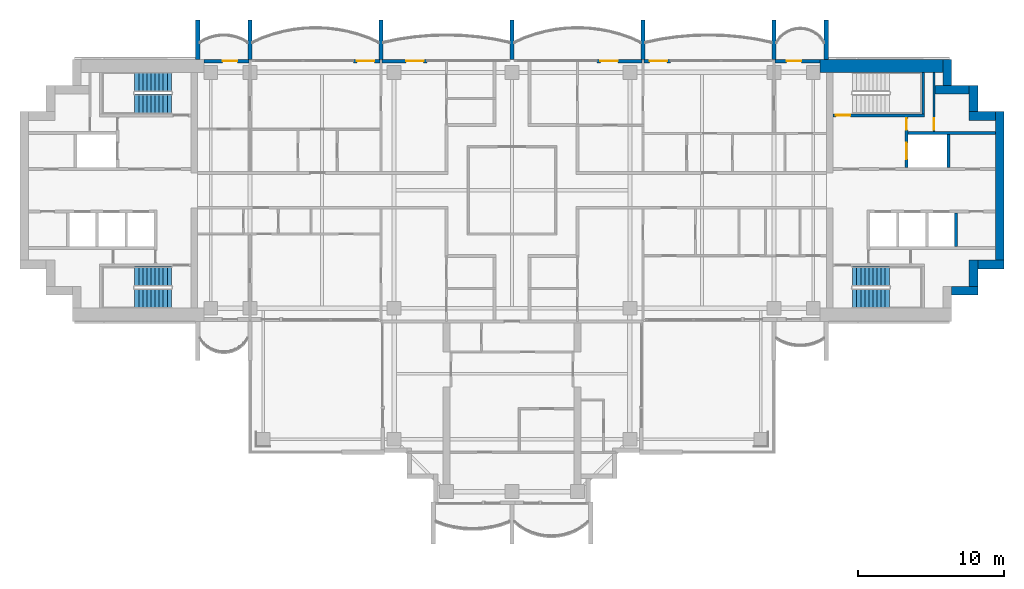
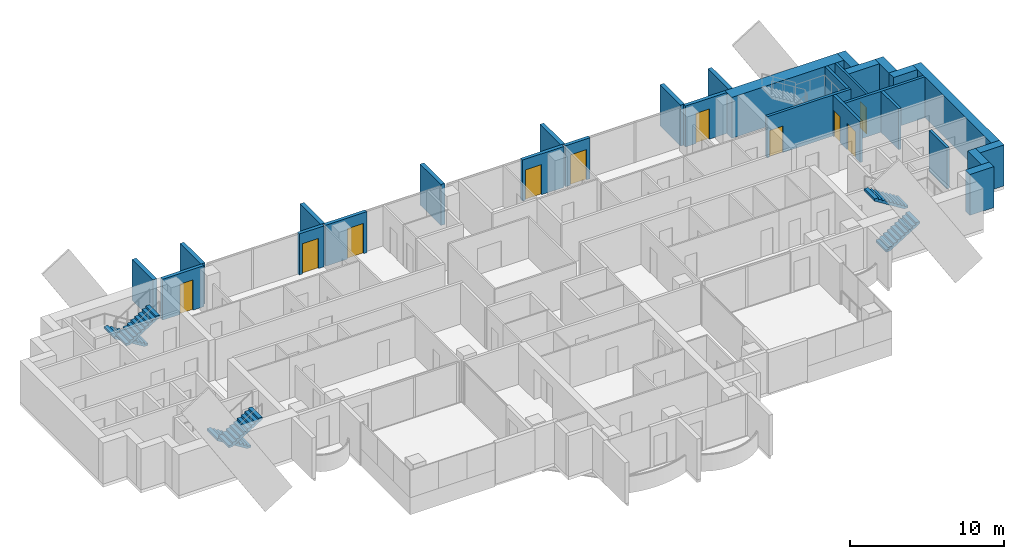
# One storey, part 13 of 18: 29 walls, 10 doors, 6 stair flights, 10 openings, 3 elements without a shape of their own.
"""IFC4 building model written with IfcOpenShell, lengths in metres."""

from ifc_helpers import new_model, si_unit, direction, frame, frame_2d, origin, place, context, subcontext, project, spatial, polyline, rectangle, outline, extrude, material, layer, layer_set, type_object, element, fill, aggregate, save


model = new_model("IFC4")

# Units and contexts
model_context = context("Model", 3, precision=1e-05, world=origin(), true_north=direction((0.0, 1.0)))
body_context = subcontext(model_context, "Body", "Model", "MODEL_VIEW")
ifc_project = project(units=[si_unit("LENGTHUNIT", "METRE"), si_unit("AREAUNIT", "SQUARE_METRE"), si_unit("VOLUMEUNIT", "CUBIC_METRE"), si_unit("PLANEANGLEUNIT", "RADIAN"), si_unit("MASSUNIT", "GRAM", prefix="KILO")], contexts=[model_context])

# Site, building, storey
site_placement = place(None, origin())
site = spatial("IfcSite", under=ifc_project, at=site_placement, CompositionType="ELEMENT")
building_placement = place(site_placement, origin())
building = spatial("IfcBuilding", under=site, at=building_placement, Name="Perihelion Cross Residences", CompositionType="ELEMENT")
storey_placement = place(building_placement, frame((0.0, 0.0, 177.10009765625)))
storey = spatial("IfcBuildingStorey", under=building, at=storey_placement, Name="L43", CompositionType="ELEMENT", Elevation=177.10009765625)

# Wall, opening, door
ifc_material_1 = material(Name="Concrete C30/37, bronze-clad", Category="concrete")
ifc_layer_1 = layer(ifc_material_1, 0.25)
ifc_layer_set_1 = layer_set([ifc_layer_1], Name="Bronze-clad pier wall 250")
wall_type_1 = type_object("IfcWallType", Name="Bronze-clad pier wall 250", PredefinedType="SOLIDWALL", material=ifc_layer_set_1)
wall_1_placement = place(storey_placement, frame((21.175048828125, 8.875, 0.0), z_axis=(0.0, 0.0, 1.0), x_axis=(-1.0, 0.0, 0.0)))
wall_1 = element("IfcWall", 1, at=wall_1_placement, inside=storey, type_object=wall_type_1, Name="Wall FW1 L43 east side north bay 1 pier", PredefinedType="SOLIDWALL", context=body_context, shape_type="SweptSolid", body=[
    extrude(rectangle(XDim=3.114990234375, YDim=0.25, at=frame_2d((1.5576171875, 0.0))), origin(), (0.0, 0.0, 1.0), 3.25),
])
opening_1_placement = place(wall_1_placement, frame((1.300048828125, 0.0, 0.0)))
opening_1 = element("IfcOpeningElement", 2, at=opening_1_placement, cuts=wall_1, Name="Opening L43.E01", PredefinedType="OPENING", context=body_context, shape_type="SweptSolid", body=[
    extrude(rectangle(XDim=1.0, YDim=2.39990234375, at=frame_2d((0.5, 1.199951171875))), frame((0.0, 0.135009765625, 0.0), z_axis=(0.0, -1.0, 0.0), x_axis=(1.0, 0.0, 0.0)), (0.0, 0.0, 1.0), 0.27001953125),
])
ifc_material_2 = material(Name="Bronze anodised aluminium, glazed", Category="aluminium")
door_type_1 = type_object("IfcDoorType", Name="Balcony door 1000 x 2400", OperationType="NOTDEFINED", PredefinedType="DOOR", material=ifc_material_2)
door_1_placement = place(opening_1_placement, origin())
door_1 = element("IfcDoor", 3, at=door_1_placement, inside=storey, type_object=door_type_1, Name="Door L43.E01 east side north bay 1", OperationType="SINGLE_SWING_LEFT", OverallHeight=2.39990234375, OverallWidth=1.0, PredefinedType="DOOR", context=body_context, shape_type="SweptSolid", body=[
    extrude(rectangle(XDim=1.0, YDim=2.39990234375, at=frame_2d((0.5, 1.199951171875))), frame((0.0, 0.02490234375, 0.0), z_axis=(0.0, -1.0, 0.0), x_axis=(1.0, 0.0, 0.0)), (0.0, 0.0, 1.0), 0.050048828125),
])
fill(opening_1, door_1)

wall_2_placement = place(storey_placement, frame((10.89990234375, 8.875, 0.0), z_axis=(0.0, 0.0, 1.0), x_axis=(-1.0, 0.0, 0.0)))
wall_2 = element("IfcWall", 4, at=wall_2_placement, inside=storey, type_object=wall_type_1, Name="Wall FW1 L43 east side north bay 2 pier", PredefinedType="SOLIDWALL", context=body_context, shape_type="SweptSolid", body=[
    extrude(rectangle(XDim=1.83984375, YDim=0.25, at=frame_2d((0.919921875, 0.0))), origin(), (0.0, 0.0, 1.0), 3.25),
])
opening_2_placement = place(wall_2_placement, frame((0.25, 0.0, 0.0)))
opening_2 = element("IfcOpeningElement", 5, at=opening_2_placement, cuts=wall_2, Name="Opening L43.E02", PredefinedType="OPENING", context=body_context, shape_type="SweptSolid", body=[
    extrude(rectangle(XDim=1.199951171875, YDim=2.39990234375, at=frame_2d((0.60009765625, 1.199951171875))), frame((0.0, 0.135009765625, 0.0), z_axis=(0.0, -1.0, 0.0), x_axis=(1.0, 0.0, 0.0)), (0.0, 0.0, 1.0), 0.27001953125),
])
ifc_material_3 = material(Name="Bronze anodised aluminium, glazed", Category="aluminium")
door_type_2 = type_object("IfcDoorType", Name="Balcony door 1200 x 2400", OperationType="NOTDEFINED", PredefinedType="DOOR", material=ifc_material_3)
door_2_placement = place(opening_2_placement, origin())
door_2 = element("IfcDoor", 6, at=door_2_placement, inside=storey, type_object=door_type_2, Name="Door L43.E02 east side north bay 2", OperationType="SINGLE_SWING_RIGHT", OverallHeight=2.39990234375, OverallWidth=1.199951171875, PredefinedType="DOOR", context=body_context, shape_type="SweptSolid", body=[
    extrude(rectangle(XDim=1.199951171875, YDim=2.39990234375, at=frame_2d((0.60009765625, 1.199951171875))), frame((0.0, 0.02490234375, 0.0), z_axis=(0.0, -1.0, 0.0), x_axis=(1.0, 0.0, 0.0)), (0.0, 0.0, 1.0), 0.050048828125),
])
fill(opening_2, door_2)

wall_3_placement = place(storey_placement, frame((8.93994140625, 8.875, 0.0), z_axis=(0.0, 0.0, 1.0), x_axis=(-1.0, 0.0, 0.0)))
wall_3 = element("IfcWall", 7, at=wall_3_placement, inside=storey, type_object=wall_type_1, Name="Wall FW1 L43 north side east bay 1 pier", PredefinedType="SOLIDWALL", context=body_context, shape_type="SweptSolid", body=[
    extrude(rectangle(XDim=3.114990234375, YDim=0.25, at=frame_2d((1.5576171875, 0.0))), origin(), (0.0, 0.0, 1.0), 3.25),
])
opening_3_placement = place(wall_3_placement, frame((1.6650390625, 0.0, 0.0)))
opening_3 = element("IfcOpeningElement", 8, at=opening_3_placement, cuts=wall_3, Name="Opening L43.E03", PredefinedType="OPENING", context=body_context, shape_type="SweptSolid", body=[
    extrude(rectangle(XDim=1.199951171875, YDim=2.39990234375, at=frame_2d((0.60009765625, 1.199951171875))), frame((0.0, 0.135009765625, 0.0), z_axis=(0.0, -1.0, 0.0), x_axis=(1.0, 0.0, 0.0)), (0.0, 0.0, 1.0), 0.27001953125),
])
door_3_placement = place(opening_3_placement, origin())
door_3 = element("IfcDoor", 9, at=door_3_placement, inside=storey, type_object=door_type_2, Name="Door L43.E03 north side east bay 1", OperationType="SINGLE_SWING_LEFT", OverallHeight=2.39990234375, OverallWidth=1.199951171875, PredefinedType="DOOR", context=body_context, shape_type="SweptSolid", body=[
    extrude(rectangle(XDim=1.199951171875, YDim=2.39990234375, at=frame_2d((0.60009765625, 1.199951171875))), frame((0.0, 0.02490234375, 0.0), z_axis=(0.0, -1.0, 0.0), x_axis=(1.0, 0.0, 0.0)), (0.0, 0.0, 1.0), 0.050048828125),
])
fill(opening_3, door_3)

wall_4_placement = place(storey_placement, frame((-5.824951171875, 8.875, 0.0), z_axis=(0.0, 0.0, 1.0), x_axis=(-1.0, 0.0, 0.0)))
wall_4 = element("IfcWall", 10, at=wall_4_placement, inside=storey, type_object=wall_type_1, Name="Wall FW1 L43 north side east bay 2 pier", PredefinedType="SOLIDWALL", context=body_context, shape_type="SweptSolid", body=[
    extrude(rectangle(XDim=3.114990234375, YDim=0.25, at=frame_2d((1.5576171875, 0.0))), origin(), (0.0, 0.0, 1.0), 3.25),
])
opening_4_placement = place(wall_4_placement, frame((0.25, 0.0, 0.0)))
opening_4 = element("IfcOpeningElement", 11, at=opening_4_placement, cuts=wall_4, Name="Opening L43.E04", PredefinedType="OPENING", context=body_context, shape_type="SweptSolid", body=[
    extrude(rectangle(XDim=1.199951171875, YDim=2.39990234375, at=frame_2d((0.60009765625, 1.199951171875))), frame((0.0, 0.135009765625, 0.0), z_axis=(0.0, -1.0, 0.0), x_axis=(1.0, 0.0, 0.0)), (0.0, 0.0, 1.0), 0.27001953125),
])
door_4_placement = place(opening_4_placement, origin())
door_4 = element("IfcDoor", 12, at=door_4_placement, inside=storey, type_object=door_type_2, Name="Door L43.E04 north side east bay 2", OperationType="SINGLE_SWING_RIGHT", OverallHeight=2.39990234375, OverallWidth=1.199951171875, PredefinedType="DOOR", context=body_context, shape_type="SweptSolid", body=[
    extrude(rectangle(XDim=1.199951171875, YDim=2.39990234375, at=frame_2d((0.60009765625, 1.199951171875))), frame((0.0, 0.02490234375, 0.0), z_axis=(0.0, -1.0, 0.0), x_axis=(1.0, 0.0, 0.0)), (0.0, 0.0, 1.0), 0.050048828125),
])
fill(opening_4, door_4)

wall_5_placement = place(storey_placement, frame((-9.06005859375, 8.875, 0.0), z_axis=(0.0, 0.0, 1.0), x_axis=(-1.0, 0.0, 0.0)))
wall_5 = element("IfcWall", 13, at=wall_5_placement, inside=storey, type_object=wall_type_1, Name="Wall FW1 L43 west side north bay 1 pier", PredefinedType="SOLIDWALL", context=body_context, shape_type="SweptSolid", body=[
    extrude(rectangle(XDim=1.83984375, YDim=0.25, at=frame_2d((0.919921875, 0.0))), origin(), (0.0, 0.0, 1.0), 3.25),
])
opening_5_placement = place(wall_5_placement, frame((0.389892578125, 0.0, 0.0)))
opening_5 = element("IfcOpeningElement", 14, at=opening_5_placement, cuts=wall_5, Name="Opening L43.E05", PredefinedType="OPENING", context=body_context, shape_type="SweptSolid", body=[
    extrude(rectangle(XDim=1.199951171875, YDim=2.39990234375, at=frame_2d((0.60009765625, 1.199951171875))), frame((0.0, 0.135009765625, 0.0), z_axis=(0.0, -1.0, 0.0), x_axis=(1.0, 0.0, 0.0)), (0.0, 0.0, 1.0), 0.27001953125),
])
door_5_placement = place(opening_5_placement, origin())
door_5 = element("IfcDoor", 15, at=door_5_placement, inside=storey, type_object=door_type_2, Name="Door L43.E05 west side north bay 1", OperationType="SINGLE_SWING_LEFT", OverallHeight=2.39990234375, OverallWidth=1.199951171875, PredefinedType="DOOR", context=body_context, shape_type="SweptSolid", body=[
    extrude(rectangle(XDim=1.199951171875, YDim=2.39990234375, at=frame_2d((0.60009765625, 1.199951171875))), frame((0.0, 0.02490234375, 0.0), z_axis=(0.0, -1.0, 0.0), x_axis=(1.0, 0.0, 0.0)), (0.0, 0.0, 1.0), 0.050048828125),
])
fill(opening_5, door_5)

wall_6_placement = place(storey_placement, frame((-18.06005859375, 8.875, 0.0), z_axis=(0.0, 0.0, 1.0), x_axis=(-1.0, 0.0, 0.0)))
wall_6 = element("IfcWall", 16, at=wall_6_placement, inside=storey, type_object=wall_type_1, Name="Wall FW1 L43 west side north bay 2 pier", PredefinedType="SOLIDWALL", context=body_context, shape_type="SweptSolid", body=[
    extrude(rectangle(XDim=3.114990234375, YDim=0.25, at=frame_2d((1.5576171875, 0.0))), origin(), (0.0, 0.0, 1.0), 3.25),
])
opening_6_placement = place(wall_6_placement, frame((0.81494140625, 0.0, 0.0)))
opening_6 = element("IfcOpeningElement", 17, at=opening_6_placement, cuts=wall_6, Name="Opening L43.E06", PredefinedType="OPENING", context=body_context, shape_type="SweptSolid", body=[
    extrude(rectangle(XDim=1.0, YDim=2.39990234375, at=frame_2d((0.5, 1.199951171875))), frame((0.0, 0.135009765625, 0.0), z_axis=(0.0, -1.0, 0.0), x_axis=(1.0, 0.0, 0.0)), (0.0, 0.0, 1.0), 0.27001953125),
])
door_6_placement = place(opening_6_placement, origin())
door_6 = element("IfcDoor", 18, at=door_6_placement, inside=storey, type_object=door_type_1, Name="Door L43.E06 west side north bay 2", OperationType="SINGLE_SWING_RIGHT", OverallHeight=2.39990234375, OverallWidth=1.0, PredefinedType="DOOR", context=body_context, shape_type="SweptSolid", body=[
    extrude(rectangle(XDim=1.0, YDim=2.39990234375, at=frame_2d((0.5, 1.199951171875))), frame((0.0, 0.02490234375, 0.0), z_axis=(0.0, -1.0, 0.0), x_axis=(1.0, 0.0, 0.0)), (0.0, 0.0, 1.0), 0.050048828125),
])
fill(opening_6, door_6)

# Walls
ifc_material_4 = material(Name="Concrete C60/75", Category="concrete")
ifc_layer_2 = layer(ifc_material_4, 0.60009765625)
ifc_layer_set_2 = layer_set([ifc_layer_2], Name="Core wall, outer 600")
wall_type_2 = type_object("IfcWallType", Name="Core wall, outer 600", PredefinedType="SHEAR", material=ifc_layer_set_2)
for number, where, z_axis, x_axis, name in (
    (19, (30.199951171875, -6.89990234375, 0.0), (0.0, 0.0, 1.0), (1.0, 0.0, 0.0), "East core core wall, outer"),
    (20, (31.699951171875, -6.60009765625, 0.0), (0.0, 0.0, 1.0), (0.0, 1.0, 0.0), "East core core wall, outer"),
    (21, (32.0, -5.10009765625, 0.0), (0.0, 0.0, 1.0), (1.0, 0.0, 0.0), "East core core wall, outer"),
):
    element("IfcWall", number, at=place(storey_placement, frame(where, z_axis=z_axis, x_axis=x_axis)), inside=storey, type_object=wall_type_2, Name=name, PredefinedType="SHEAR", context=body_context, shape_type="SweptSolid", body=[
        extrude(rectangle(XDim=1.800048828125, YDim=0.60009765625, at=frame_2d((0.89990234375, 0.0))), origin(), (0.0, 0.0, 1.0), 3.25),
    ])
wall_7_placement = place(storey_placement, frame((33.5, -4.800048828125, 0.0), z_axis=(0.0, 0.0, 1.0), x_axis=(0.0, 1.0, 0.0)))
element("IfcWall", 22, at=wall_7_placement, inside=storey, type_object=wall_type_2, Name="East core core wall, outer", PredefinedType="SHEAR", context=body_context, shape_type="SweptSolid", body=[
    extrude(rectangle(XDim=10.199951171875, YDim=0.60009765625, at=frame_2d((5.10009765625, 0.0))), origin(), (0.0, 0.0, 1.0), 3.25),
])
for number, where, z_axis, x_axis, name in (
    (23, (31.39990234375, 5.10009765625, 0.0), (0.0, 0.0, 1.0), (1.0, 0.0, 0.0), "East core core wall, outer"),
    (24, (31.699951171875, 5.39990234375, 0.0), (0.0, 0.0, 1.0), (0.0, 1.0, 0.0), "East core core wall, outer"),
):
    element("IfcWall", number, at=place(storey_placement, frame(where, z_axis=z_axis, x_axis=x_axis)), inside=storey, type_object=wall_type_2, Name=name, PredefinedType="SHEAR", context=body_context, shape_type="SweptSolid", body=[
        extrude(rectangle(XDim=1.800048828125, YDim=0.60009765625, at=frame_2d((0.89990234375, 0.0))), origin(), (0.0, 0.0, 1.0), 3.25),
    ])
wall_8_placement = place(storey_placement, frame((29.074951171875, 6.89990234375, 0.0), z_axis=(0.0, 0.0, 1.0), x_axis=(1.0, 0.0, 0.0)))
element("IfcWall", 25, at=wall_8_placement, inside=storey, type_object=wall_type_2, Name="East core core wall, outer", PredefinedType="SHEAR", context=body_context, shape_type="SweptSolid", body=[
    extrude(rectangle(XDim=2.324951171875, YDim=0.60009765625, at=frame_2d((1.16259765625, 0.0))), origin(), (0.0, 0.0, 1.0), 3.25),
])
wall_9_placement = place(storey_placement, frame((29.89990234375, 7.199951171875, 0.0), z_axis=(0.0, 0.0, 1.0), x_axis=(0.0, 1.0, 0.0)))
element("IfcWall", 26, at=wall_9_placement, inside=storey, type_object=wall_type_2, Name="East core core wall, outer", PredefinedType="SHEAR", context=body_context, shape_type="SweptSolid", body=[
    extrude(rectangle(XDim=1.800048828125, YDim=0.60009765625, at=frame_2d((0.89990234375, 0.0))), origin(), (0.0, 0.0, 1.0), 3.25),
])
ifc_material_5 = material(Name="Concrete C60/75", Category="concrete")
ifc_layer_3 = layer(ifc_material_5, 0.89990234375)
ifc_layer_set_3 = layer_set([ifc_layer_3], Name="Core wall, outer 900")
wall_type_3 = type_object("IfcWallType", Name="Core wall, outer 900", PredefinedType="SHEAR", material=ifc_layer_set_3)
wall_10_placement = place(storey_placement, frame((21.175048828125, 8.550048828125, 0.0), z_axis=(0.0, 0.0, 1.0), x_axis=(1.0, 0.0, 0.0)))
element("IfcWall", 27, at=wall_10_placement, inside=storey, type_object=wall_type_3, Name="East core core wall, outer", PredefinedType="SHEAR", context=body_context, shape_type="SweptSolid", body=[
    extrude(rectangle(XDim=8.425048828125, YDim=0.89990234375, at=frame_2d((4.21240234375, 0.0))), origin(), (0.0, 0.0, 1.0), 3.25),
])
ifc_material_6 = material(Name="Precast concrete C50/60", Category="concrete")
ifc_layer_4 = layer(ifc_material_6, 0.300048828125)
ifc_layer_set_4 = layer_set([ifc_layer_4], Name="Precast concrete C50/60 blade wall 300")
wall_type_4 = type_object("IfcWallType", Name="Precast concrete C50/60 blade wall 300", PredefinedType="SOLIDWALL", material=ifc_layer_set_4)
for number, where, z_axis, x_axis, name in (
    (28, (-21.60009765625, 9.0, 0.0), (0.0, 0.0, 1.0), (0.0, 1.0, 0.0), "Wall BL1 L43 no. 4"),
    (29, (-18.0, 9.0, 0.0), (0.0, 0.0, 1.0), (0.0, 1.0, 0.0), "Wall BL1 L43 no. 2"),
    (30, (-9.0, 9.0, 0.0), (0.0, 0.0, 1.0), (0.0, 1.0, 0.0), "Wall BL1 L43 no. 7"),
    (31, (0.0, 9.0, 0.0), (0.0, 0.0, 1.0), (0.0, 1.0, 0.0), "Wall BL1 L43 no. 9"),
    (32, (9.0, 9.0, 0.0), (0.0, 0.0, 1.0), (0.0, 1.0, 0.0), "Wall BL1 L43 no. 16"),
    (33, (18.0, 9.0, 0.0), (0.0, 0.0, 1.0), (0.0, 1.0, 0.0), "Wall BL1 L43 no. 11"),
    (34, (21.60009765625, 9.0, 0.0), (0.0, 0.0, 1.0), (0.0, 1.0, 0.0), "Wall BL1 L43 no. 13"),
):
    element("IfcWall", number, at=place(storey_placement, frame(where, z_axis=z_axis, x_axis=x_axis)), inside=storey, type_object=wall_type_4, Name=name, PredefinedType="SOLIDWALL", context=body_context, shape_type="SweptSolid", body=[
        extrude(rectangle(XDim=2.699951171875, YDim=0.300048828125, at=frame_2d((1.35009765625, 0.0))), origin(), (0.0, 0.0, 1.0), 3.25),
    ])

# Wall, opening, door
ifc_material_7 = material(Name="Fire-rated board on steel stud", Category="steel")
ifc_layer_5 = layer(ifc_material_7, 0.14990234375)
ifc_layer_set_5 = layer_set([ifc_layer_5], Name="Riser wall 150")
wall_type_5 = type_object("IfcWallType", Name="Riser wall 150", PredefinedType="PARTITIONING", material=ifc_layer_set_5)
wall_11_placement = place(storey_placement, frame((29.0, 4.050048828125, 0.0), z_axis=(0.0, 0.0, 1.0), x_axis=(0.0, 1.0, 0.0)))
wall_11 = element("IfcWall", 35, at=wall_11_placement, inside=storey, type_object=wall_type_5, Name="East core riser wall", PredefinedType="PARTITIONING", context=body_context, shape_type="SweptSolid", body=[
    extrude(rectangle(XDim=4.050048828125, YDim=0.14990234375, at=frame_2d((2.02490234375, 0.0))), origin(), (0.0, 0.0, 1.0), 3.25),
])
opening_7_placement = place(wall_11_placement, frame((0.10009765625, 0.0, 0.0)))
opening_7 = element("IfcOpeningElement", 36, at=opening_7_placement, cuts=wall_11, Name="Opening L43.C12", PredefinedType="OPENING", context=body_context, shape_type="SweptSolid", body=[
    extrude(rectangle(XDim=0.800048828125, YDim=2.10009765625, at=frame_2d((0.39990234375, 1.050048828125))), frame((0.0, 0.0849609375, 0.0), z_axis=(0.0, -1.0, 0.0), x_axis=(1.0, 0.0, 0.0)), (0.0, 0.0, 1.0), 0.169921875),
])
ifc_material_8 = material(Name="Steel, powder coated", Category="steel")
door_type_3 = type_object("IfcDoorType", Name="Riser door 800", OperationType="SINGLE_SWING_LEFT", PredefinedType="DOOR", material=ifc_material_8)
door_7_placement = place(opening_7_placement, origin())
door_7 = element("IfcDoor", 37, at=door_7_placement, inside=storey, type_object=door_type_3, Name="East core riser door", OperationType="SINGLE_SWING_LEFT", OverallHeight=2.10009765625, OverallWidth=0.800048828125, PredefinedType="DOOR", context=body_context, shape_type="SweptSolid", body=[
    extrude(rectangle(XDim=0.800048828125, YDim=2.10009765625, at=frame_2d((0.39990234375, 1.050048828125))), frame((0.0, 0.02490234375, 0.0), z_axis=(0.0, -1.0, 0.0), x_axis=(1.0, 0.0, 0.0)), (0.0, 0.0, 1.0), 0.050048828125),
])
fill(opening_7, door_7)

# Wall
ifc_material_9 = material(Name="Concrete C50/60", Category="concrete")
ifc_layer_6 = layer(ifc_material_9, 0.199951171875)
ifc_layer_set_6 = layer_set([ifc_layer_6], Name="Shaft wall 200")
wall_type_6 = type_object("IfcWallType", Name="Shaft wall 200", PredefinedType="SOLIDWALL", material=ifc_layer_set_6)
wall_12_placement = place(storey_placement, frame((27.199951171875, 3.949951171875, 0.0), z_axis=(0.0, 0.0, 1.0), x_axis=(1.0, 0.0, 0.0)))
element("IfcWall", 38, at=wall_12_placement, inside=storey, type_object=wall_type_6, Name="East core shaft wall", PredefinedType="SOLIDWALL", context=body_context, shape_type="SweptSolid", body=[
    extrude(rectangle(XDim=6.0, YDim=0.199951171875, at=frame_2d((3.0, 0.0))), origin(), (0.0, 0.0, 1.0), 3.25),
])

# Wall, openings, doors
wall_13_placement = place(storey_placement, frame((27.10009765625, 1.550048828125, 0.0), z_axis=(0.0, 0.0, 1.0), x_axis=(0.0, 1.0, 0.0)))
wall_13 = element("IfcWall", 39, at=wall_13_placement, inside=storey, type_object=wall_type_6, Name="East core shaft wall", PredefinedType="SOLIDWALL", context=body_context, shape_type="SweptSolid", body=[
    extrude(rectangle(XDim=3.5, YDim=0.199951171875, at=frame_2d((1.75, 0.0))), origin(), (0.0, 0.0, 1.0), 3.25),
])
opening_8_placement = place(wall_13_placement, frame((0.60009765625, 0.0, 0.0)))
opening_8 = element("IfcOpeningElement", 40, at=opening_8_placement, cuts=wall_13, Name="Opening L43.C02", PredefinedType="OPENING", context=body_context, shape_type="SweptSolid", body=[
    extrude(rectangle(XDim=1.10009765625, YDim=2.10009765625, at=frame_2d((0.550048828125, 1.050048828125))), frame((0.0, 0.10986328125, 0.0), z_axis=(0.0, -1.0, 0.0), x_axis=(1.0, 0.0, 0.0)), (0.0, 0.0, 1.0), 0.219970703125),
])
opening_9_placement = place(wall_13_placement, frame((2.60009765625, 0.0, 0.0)))
opening_9 = element("IfcOpeningElement", 41, at=opening_9_placement, cuts=wall_13, Name="Opening L43.C10", PredefinedType="OPENING", context=body_context, shape_type="SweptSolid", body=[
    extrude(rectangle(XDim=0.800048828125, YDim=2.10009765625, at=frame_2d((0.39990234375, 1.050048828125))), frame((0.0, 0.10986328125, 0.0), z_axis=(0.0, -1.0, 0.0), x_axis=(1.0, 0.0, 0.0)), (0.0, 0.0, 1.0), 0.219970703125),
])
ifc_material_10 = material(Name="Stainless steel", Category="steel")
door_type_4 = type_object("IfcDoorType", Name="Landing door, firefighting lift 1100", OperationType="DOUBLE_DOOR_SLIDING", PredefinedType="DOOR", material=ifc_material_10)
door_8_placement = place(opening_8_placement, origin())
door_8 = element("IfcDoor", 42, at=door_8_placement, inside=storey, type_object=door_type_4, Name="Landing door, East core firefighting and service lift", OperationType="DOUBLE_DOOR_SLIDING", OverallHeight=2.10009765625, OverallWidth=1.10009765625, PredefinedType="DOOR", context=body_context, shape_type="SweptSolid", body=[
    extrude(rectangle(XDim=1.10009765625, YDim=2.10009765625, at=frame_2d((0.550048828125, 1.050048828125))), frame((0.0, 0.02490234375, 0.0), z_axis=(0.0, -1.0, 0.0), x_axis=(1.0, 0.0, 0.0)), (0.0, 0.0, 1.0), 0.050048828125),
])
fill(opening_8, door_8)
door_9_placement = place(opening_9_placement, origin())
door_9 = element("IfcDoor", 43, at=door_9_placement, inside=storey, type_object=door_type_3, Name="East core riser door", OperationType="SINGLE_SWING_LEFT", OverallHeight=2.10009765625, OverallWidth=0.800048828125, PredefinedType="DOOR", context=body_context, shape_type="SweptSolid", body=[
    extrude(rectangle(XDim=0.800048828125, YDim=2.10009765625, at=frame_2d((0.39990234375, 1.050048828125))), frame((0.0, 0.02490234375, 0.0), z_axis=(0.0, -1.0, 0.0), x_axis=(1.0, 0.0, 0.0)), (0.0, 0.0, 1.0), 0.050048828125),
])
fill(opening_9, door_9)

# Walls
for number, where, z_axis, x_axis, name in (
    (44, (30.0, 1.550048828125, 0.0), (0.0, 0.0, 1.0), (0.0, 1.0, 0.0), "East core shaft wall"),
    (45, (30.5, -3.85009765625, 0.0), (0.0, 0.0, 1.0), (0.0, 1.0, 0.0), "East core shaft wall"),
):
    element("IfcWall", number, at=place(storey_placement, frame(where, z_axis=z_axis, x_axis=x_axis)), inside=storey, type_object=wall_type_6, Name=name, PredefinedType="SOLIDWALL", context=body_context, shape_type="SweptSolid", body=[
        extrude(rectangle(XDim=2.300048828125, YDim=0.199951171875, at=frame_2d((1.14990234375, 0.0))), origin(), (0.0, 0.0, 1.0), 3.25),
    ])

# Wall, opening, door
ifc_material_11 = material(Name="Concrete C50/60", Category="concrete")
ifc_layer_7 = layer(ifc_material_11, 0.199951171875)
ifc_layer_set_7 = layer_set([ifc_layer_7], Name="Stair wall 200")
wall_type_7 = type_object("IfcWallType", Name="Stair wall 200", PredefinedType="SOLIDWALL", material=ifc_layer_set_7)
wall_14_placement = place(storey_placement, frame((22.050048828125, 5.14990234375, 0.0), z_axis=(0.0, 0.0, 1.0), x_axis=(1.0, 0.0, 0.0)))
wall_14 = element("IfcWall", 46, at=wall_14_placement, inside=storey, type_object=wall_type_7, Name="East core stair wall", PredefinedType="SOLIDWALL", context=body_context, shape_type="SweptSolid", body=[
    extrude(rectangle(XDim=6.300048828125, YDim=0.199951171875, at=frame_2d((3.14990234375, 0.0))), origin(), (0.0, 0.0, 1.0), 3.25),
])
opening_10_placement = place(wall_14_placement, frame((0.199951171875, 0.0, 0.0)))
opening_10 = element("IfcOpeningElement", 47, at=opening_10_placement, cuts=wall_14, Name="Opening L43.C06", PredefinedType="OPENING", context=body_context, shape_type="SweptSolid", body=[
    extrude(rectangle(XDim=1.0, YDim=2.10009765625, at=frame_2d((0.5, 1.050048828125))), frame((0.0, 0.10986328125, 0.0), z_axis=(0.0, -1.0, 0.0), x_axis=(1.0, 0.0, 0.0)), (0.0, 0.0, 1.0), 0.219970703125),
])
ifc_material_12 = material(Name="Steel, powder coated", Category="steel")
door_type_5 = type_object("IfcDoorType", Name="Stair door 1000", OperationType="SINGLE_SWING_LEFT", PredefinedType="DOOR", material=ifc_material_12)
door_10_placement = place(opening_10_placement, origin())
door_10 = element("IfcDoor", 48, at=door_10_placement, inside=storey, type_object=door_type_5, Name="East core stair door", OperationType="SINGLE_SWING_LEFT", OverallHeight=2.10009765625, OverallWidth=1.0, PredefinedType="DOOR", context=body_context, shape_type="SweptSolid", body=[
    extrude(rectangle(XDim=1.0, YDim=2.10009765625, at=frame_2d((0.5, 1.050048828125))), frame((0.0, 0.02490234375, 0.0), z_axis=(0.0, -1.0, 0.0), x_axis=(1.0, 0.0, 0.0)), (0.0, 0.0, 1.0), 0.050048828125),
])
fill(opening_10, door_10)

# Wall
wall_15_placement = place(storey_placement, frame((28.25, 5.25, 0.0), z_axis=(0.0, 0.0, 1.0), x_axis=(0.0, 1.0, 0.0)))
element("IfcWall", 49, at=wall_15_placement, inside=storey, type_object=wall_type_7, Name="East core stair wall", PredefinedType="SOLIDWALL", context=body_context, shape_type="SweptSolid", body=[
    extrude(rectangle(XDim=2.85009765625, YDim=0.199951171875, at=frame_2d((1.425048828125, 0.0))), origin(), (0.0, 0.0, 1.0), 3.25),
])

# Stair, stair flights
ifc_material_13 = material(Name="Concrete C40/50", Category="concrete")
stair_type = type_object("IfcStairType", Name="Exit stair, half-turn", PredefinedType="HALF_TURN_STAIR", material=ifc_material_13)
stair_1_placement = place(storey_placement, origin())
stair_1 = element("IfcStair", 50, at=stair_1_placement, inside=storey, type_object=stair_type, Name="L43 East core exit stair 2", PredefinedType="HALF_TURN_STAIR")
ifc_material_14 = material(Name="Concrete C40/50", Category="concrete")
stair_flight_type = type_object("IfcStairFlightType", Name="Exit stair flight", PredefinedType="STRAIGHT", material=ifc_material_14)
stair_flight_1_placement = place(storey_placement, frame((23.39990234375, -7.425048828125, 0.0), z_axis=(0.0, 0.0, 1.0), x_axis=(1.0, 0.0, 0.0)))
stair_flight_1 = element("IfcStairFlight", 51, at=stair_flight_1_placement, type_object=stair_flight_type, Name="ST-E2 flight 1", NumberOfRisers=10, NumberOfTreads=9, PredefinedType="STRAIGHT", RiserHeight=0.175, TreadLength=0.28, context=body_context, shape_type="SweptSolid", body=[
    extrude(outline(polyline([(0.0, 0.0), (0.0, 0.175048828125), (0.280029296875, 0.175048828125), (0.280029296875, 0.35009765625), (0.56005859375, 0.35009765625), (0.56005859375, 0.52490234375), (0.840087890625, 0.52490234375), (0.840087890625, 0.699951171875), (1.1201171875, 0.699951171875), (1.1201171875, 0.875), (1.39990234375, 0.875), (1.39990234375, 1.050048828125), (1.679931640625, 1.050048828125), (1.679931640625, 1.22509765625), (1.9599609375, 1.22509765625), (1.9599609375, 1.39990234375), (2.239990234375, 1.39990234375), (2.239990234375, 1.574951171875), (2.52001953125, 1.574951171875), (2.52001953125, 1.75), (2.52001953125, 1.398193359375), (0.28271484375, 0.0), (0.0, 0.0)])), frame((0.0, 0.675048828125, 0.0), z_axis=(0.0, -1.0, 0.0), x_axis=(1.0, 0.0, 0.0)), (0.0, 0.0, 1.0), 1.35009765625),
])
stair_flight_2_placement = place(storey_placement, frame((25.919921875, -5.925048828125, 1.75), z_axis=(0.0, 0.0, 1.0), x_axis=(-1.0, 0.0, 0.0)))
stair_flight_2 = element("IfcStairFlight", 52, at=stair_flight_2_placement, type_object=stair_flight_type, Name="ST-E2 flight 2", NumberOfRisers=10, NumberOfTreads=9, PredefinedType="STRAIGHT", RiserHeight=0.175, TreadLength=0.28, context=body_context, shape_type="SweptSolid", body=[
    extrude(outline(polyline([(0.0, 0.0), (0.0, 0.175048828125), (0.280029296875, 0.175048828125), (0.280029296875, 0.35009765625), (0.56005859375, 0.35009765625), (0.56005859375, 0.52490234375), (0.840087890625, 0.52490234375), (0.840087890625, 0.699951171875), (1.1201171875, 0.699951171875), (1.1201171875, 0.875), (1.39990234375, 0.875), (1.39990234375, 1.050048828125), (1.679931640625, 1.050048828125), (1.679931640625, 1.22509765625), (1.9599609375, 1.22509765625), (1.9599609375, 1.39990234375), (2.239990234375, 1.39990234375), (2.239990234375, 1.574951171875), (2.52001953125, 1.574951171875), (2.52001953125, 1.75), (2.52001953125, 1.398193359375), (0.28271484375, 0.0), (0.0, 0.0)])), frame((0.0, 0.675048828125, 0.0), z_axis=(0.0, -1.0, 0.0), x_axis=(1.0, 0.0, 0.0)), (0.0, 0.0, 1.0), 1.35009765625),
])
aggregate(stair_1, [stair_flight_1, stair_flight_2])

stair_2_placement = place(storey_placement, origin())
stair_2 = element("IfcStair", 53, at=stair_2_placement, inside=storey, type_object=stair_type, Name="L43 West core exit stair 1", PredefinedType="HALF_TURN_STAIR")
stair_flight_3_placement = place(storey_placement, frame((-23.39990234375, 7.425048828125, 0.0), z_axis=(0.0, 0.0, 1.0), x_axis=(-1.0, 0.0, 0.0)))
stair_flight_3 = element("IfcStairFlight", 54, at=stair_flight_3_placement, type_object=stair_flight_type, Name="ST-W1 flight 1", NumberOfRisers=10, NumberOfTreads=9, PredefinedType="STRAIGHT", RiserHeight=0.175, TreadLength=0.28, context=body_context, shape_type="SweptSolid", body=[
    extrude(outline(polyline([(0.0, 0.0), (0.0, 0.175048828125), (0.280029296875, 0.175048828125), (0.280029296875, 0.35009765625), (0.56005859375, 0.35009765625), (0.56005859375, 0.52490234375), (0.840087890625, 0.52490234375), (0.840087890625, 0.699951171875), (1.1201171875, 0.699951171875), (1.1201171875, 0.875), (1.39990234375, 0.875), (1.39990234375, 1.050048828125), (1.679931640625, 1.050048828125), (1.679931640625, 1.22509765625), (1.9599609375, 1.22509765625), (1.9599609375, 1.39990234375), (2.239990234375, 1.39990234375), (2.239990234375, 1.574951171875), (2.52001953125, 1.574951171875), (2.52001953125, 1.75), (2.52001953125, 1.398193359375), (0.28271484375, 0.0), (0.0, 0.0)])), frame((0.0, 0.675048828125, 0.0), z_axis=(0.0, -1.0, 0.0), x_axis=(1.0, 0.0, 0.0)), (0.0, 0.0, 1.0), 1.35009765625),
])
stair_flight_4_placement = place(storey_placement, frame((-25.919921875, 5.925048828125, 1.75), z_axis=(0.0, 0.0, 1.0), x_axis=(1.0, 0.0, 0.0)))
stair_flight_4 = element("IfcStairFlight", 55, at=stair_flight_4_placement, type_object=stair_flight_type, Name="ST-W1 flight 2", NumberOfRisers=10, NumberOfTreads=9, PredefinedType="STRAIGHT", RiserHeight=0.175, TreadLength=0.28, context=body_context, shape_type="SweptSolid", body=[
    extrude(outline(polyline([(0.0, 0.0), (0.0, 0.175048828125), (0.280029296875, 0.175048828125), (0.280029296875, 0.35009765625), (0.56005859375, 0.35009765625), (0.56005859375, 0.52490234375), (0.840087890625, 0.52490234375), (0.840087890625, 0.699951171875), (1.1201171875, 0.699951171875), (1.1201171875, 0.875), (1.39990234375, 0.875), (1.39990234375, 1.050048828125), (1.679931640625, 1.050048828125), (1.679931640625, 1.22509765625), (1.9599609375, 1.22509765625), (1.9599609375, 1.39990234375), (2.239990234375, 1.39990234375), (2.239990234375, 1.574951171875), (2.52001953125, 1.574951171875), (2.52001953125, 1.75), (2.52001953125, 1.398193359375), (0.28271484375, 0.0), (0.0, 0.0)])), frame((0.0, 0.675048828125, 0.0), z_axis=(0.0, -1.0, 0.0), x_axis=(1.0, 0.0, 0.0)), (0.0, 0.0, 1.0), 1.35009765625),
])
aggregate(stair_2, [stair_flight_3, stair_flight_4])

stair_3_placement = place(storey_placement, origin())
stair_3 = element("IfcStair", 56, at=stair_3_placement, inside=storey, type_object=stair_type, Name="L43 West core exit stair 2", PredefinedType="HALF_TURN_STAIR")
stair_flight_5_placement = place(storey_placement, frame((-23.39990234375, -5.925048828125, 0.0), z_axis=(0.0, 0.0, 1.0), x_axis=(-1.0, 0.0, 0.0)))
stair_flight_5 = element("IfcStairFlight", 57, at=stair_flight_5_placement, type_object=stair_flight_type, Name="ST-W2 flight 1", NumberOfRisers=10, NumberOfTreads=9, PredefinedType="STRAIGHT", RiserHeight=0.175, TreadLength=0.28, context=body_context, shape_type="SweptSolid", body=[
    extrude(outline(polyline([(0.0, 0.0), (0.0, 0.175048828125), (0.280029296875, 0.175048828125), (0.280029296875, 0.35009765625), (0.56005859375, 0.35009765625), (0.56005859375, 0.52490234375), (0.840087890625, 0.52490234375), (0.840087890625, 0.699951171875), (1.1201171875, 0.699951171875), (1.1201171875, 0.875), (1.39990234375, 0.875), (1.39990234375, 1.050048828125), (1.679931640625, 1.050048828125), (1.679931640625, 1.22509765625), (1.9599609375, 1.22509765625), (1.9599609375, 1.39990234375), (2.239990234375, 1.39990234375), (2.239990234375, 1.574951171875), (2.52001953125, 1.574951171875), (2.52001953125, 1.75), (2.52001953125, 1.398193359375), (0.28271484375, 0.0), (0.0, 0.0)])), frame((0.0, 0.675048828125, 0.0), z_axis=(0.0, -1.0, 0.0), x_axis=(1.0, 0.0, 0.0)), (0.0, 0.0, 1.0), 1.35009765625),
])
stair_flight_6_placement = place(storey_placement, frame((-25.919921875, -7.425048828125, 1.75), z_axis=(0.0, 0.0, 1.0), x_axis=(1.0, 0.0, 0.0)))
stair_flight_6 = element("IfcStairFlight", 58, at=stair_flight_6_placement, type_object=stair_flight_type, Name="ST-W2 flight 2", NumberOfRisers=10, NumberOfTreads=9, PredefinedType="STRAIGHT", RiserHeight=0.175, TreadLength=0.28, context=body_context, shape_type="SweptSolid", body=[
    extrude(outline(polyline([(0.0, 0.0), (0.0, 0.175048828125), (0.280029296875, 0.175048828125), (0.280029296875, 0.35009765625), (0.56005859375, 0.35009765625), (0.56005859375, 0.52490234375), (0.840087890625, 0.52490234375), (0.840087890625, 0.699951171875), (1.1201171875, 0.699951171875), (1.1201171875, 0.875), (1.39990234375, 0.875), (1.39990234375, 1.050048828125), (1.679931640625, 1.050048828125), (1.679931640625, 1.22509765625), (1.9599609375, 1.22509765625), (1.9599609375, 1.39990234375), (2.239990234375, 1.39990234375), (2.239990234375, 1.574951171875), (2.52001953125, 1.574951171875), (2.52001953125, 1.75), (2.52001953125, 1.398193359375), (0.28271484375, 0.0), (0.0, 0.0)])), frame((0.0, 0.675048828125, 0.0), z_axis=(0.0, -1.0, 0.0), x_axis=(1.0, 0.0, 0.0)), (0.0, 0.0, 1.0), 1.35009765625),
])
aggregate(stair_3, [stair_flight_5, stair_flight_6])

save(model, "model.ifc")
